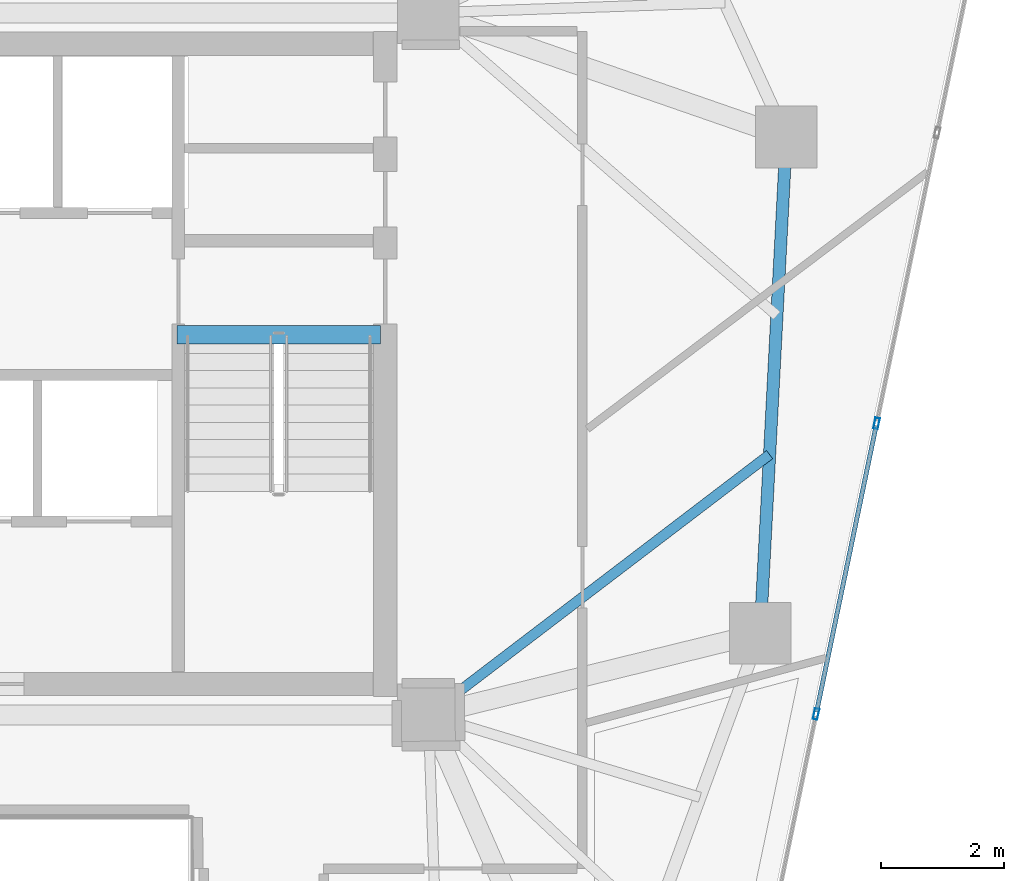
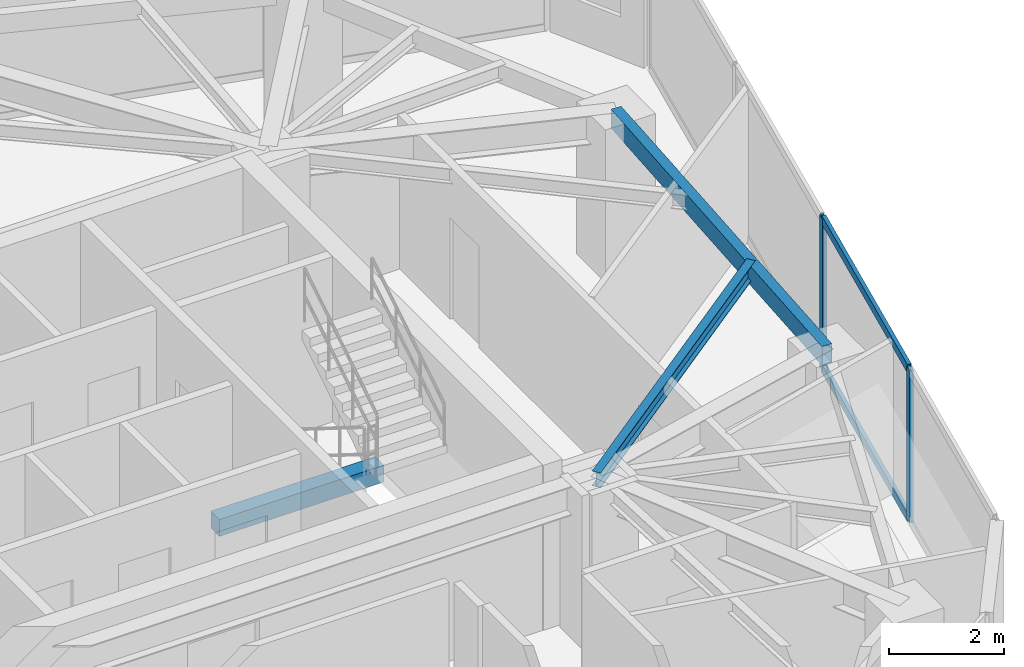
# One storey, part 9 of 20: 4 members, 3 beams, 1 element without a shape of its own.
"""IFC4 building model written with IfcOpenShell, lengths in metres."""

from ifc_helpers import new_model, si_unit, direction, frame, origin, origin_2d, place, context, subcontext, project, spatial, rectangle, hollow_rectangle, i_section, extrude, source, transform, mapped, material, layer, layer_set, material_profile, profile_set, type_object, type_shapes, element, aggregate, save


model = new_model("IFC4")

# Units and contexts
model_context = context("Model", 3, precision=1e-05, world=origin(), true_north=direction((0.0, 1.0)))
body_context = subcontext(model_context, "Body", "Model", "MODEL_VIEW")
ifc_project = project(units=[si_unit("LENGTHUNIT", "METRE"), si_unit("AREAUNIT", "SQUARE_METRE"), si_unit("VOLUMEUNIT", "CUBIC_METRE"), si_unit("PLANEANGLEUNIT", "RADIAN"), si_unit("MASSUNIT", "GRAM", prefix="KILO")], contexts=[model_context])

# Site, building, storey
site_placement = place(None, origin())
site = spatial("IfcSite", under=ifc_project, at=site_placement, CompositionType="ELEMENT")
building_placement = place(site_placement, origin())
building = spatial("IfcBuilding", under=site, at=building_placement, Name="Talar Marvaseh", CompositionType="ELEMENT")
storey_placement = place(building_placement, frame((0.0, 0.0, 191.5)))
storey = spatial("IfcBuildingStorey", under=building, at=storey_placement, Name="L50", CompositionType="ELEMENT", Elevation=191.5)

# Beams
ifc_material_1 = material(Name="Concrete C40/50", Category="concrete")
ifc_material_profile_1 = material_profile(ifc_material_1, rectangle(XDim=0.300048828125, YDim=0.360107421875, at=origin_2d()), Name="RC300x360")
ifc_profile_set_1 = profile_set([ifc_material_profile_1], Name="Concrete C40/50")
beam_type_1 = type_object("IfcBeamType", Name="Concrete Stair Landing Trimmer Beam RC300x360", PredefinedType="SPANDREL", material=ifc_profile_set_1)
beam_1_placement = place(storey_placement, frame((29.219970703125, 31.669921875, -0.179931640625), z_axis=(1.0, 0.0, 0.0), x_axis=(0.0, 1.0, 0.0)))
element("IfcBeam", 1, at=beam_1_placement, inside=storey, type_object=beam_type_1, Name="L50 ST-2 Stair Nosing Trimmer Beam", PredefinedType="SPANDREL", context=body_context, shape_type="SweptSolid", body=[
    extrude(rectangle(XDim=0.300048828125, YDim=0.360107421875, at=origin_2d()), origin(), (0.0, 0.0, 1.0), 3.300048828125),
])
ifc_material_2 = material(Name="Steel S355", Category="steel")
ifc_material_profile_2 = material_profile(ifc_material_2, hollow_rectangle(XDim=0.199951171875, YDim=0.39990234375, WallThickness=0.013916015625, at=origin_2d()), Name="RHS400x200x14")
ifc_profile_set_2 = profile_set([ifc_material_profile_2], Name="Steel S355")
beam_type_2 = type_object("IfcBeamType", Name="Zone 3 Perimeter Spandrel Beam RHS400x200x14", PredefinedType="SPANDREL", material=ifc_profile_set_2)
beam_2_placement = place(storey_placement, frame((39.113037109375, 34.884033203125, 3.030029296875), z_axis=(-0.052541369293, -0.998618748328, 0.0), x_axis=(0.998618748328, -0.052541369293, 0.0)))
element("IfcBeam", 2, at=beam_2_placement, inside=storey, type_object=beam_type_2, Name="L50 Zone 3 Perimeter Spandrel Beam RHS400x200x14", PredefinedType="SPANDREL", context=body_context, shape_type="SweptSolid", body=[
    extrude(hollow_rectangle(XDim=0.199951171875, YDim=0.39990234375, WallThickness=0.013916015625, at=origin_2d()), origin(), (0.0, 0.0, 1.0), 8.0712890625),
])
ifc_material_profile_3 = material_profile(ifc_material_2, i_section(OverallWidth=0.166015625, OverallDepth=0.31298828125, WebThickness=0.006591796875, FlangeThickness=0.01123046875, at=origin_2d()), Name="W310x45")
ifc_profile_set_3 = profile_set([ifc_material_profile_3], Name="Steel S355")
beam_type_3 = type_object("IfcBeamType", Name="Zone 3 Secondary Floor Joist W310x45", PredefinedType="JOIST", material=ifc_profile_set_3)
beam_3_placement = place(storey_placement, frame((38.841552734375, 29.7255859375, 3.073486328125), z_axis=(-0.795190393297, -0.606359825852, 0.0), x_axis=(0.606359825852, -0.795190393297, 0.0)))
element("IfcBeam", 3, at=beam_3_placement, inside=storey, type_object=beam_type_3, Name="L50 Zone 3 Secondary Floor Joist W310x45", PredefinedType="JOIST", context=body_context, shape_type="SweptSolid", body=[
    extrude(i_section(OverallWidth=0.166015625, OverallDepth=0.31298828125, WebThickness=0.006591796875, FlangeThickness=0.01123046875, at=origin_2d()), origin(), (0.0, 0.0, 1.0), 6.96875),
])

# Curtain wall, members
ifc_material_3 = material(Name="Architectural Aluminium", Category="aluminium")
ifc_layer = layer(ifc_material_3, 0.18994140625)
ifc_layer_set = layer_set([ifc_layer], Name="Architectural Aluminium")
curtain_wall_type = type_object("IfcCurtainWallType", Name="Unitised Solar Atelier Curtain Wall Z3", PredefinedType="NOTDEFINED", material=ifc_layer_set)
curtain_wall_placement = place(storey_placement, origin())
curtain_wall = element("IfcCurtainWall", 4, at=curtain_wall_placement, inside=storey, type_object=curtain_wall_type, Name="L50 Unitised Solar Atelier Curtain Wall Z3", PredefinedType="NOTDEFINED")
ifc_material_profile_4 = material_profile(ifc_material_3, hollow_rectangle(XDim=0.074951171875, YDim=0.179931640625, WallThickness=0.0048828125, at=origin_2d()), Name="RHS180x75x5")
ifc_profile_set_4 = profile_set([ifc_material_profile_4], Name="Architectural Aluminium")
member_type_1 = type_object("IfcMemberType", Name="Unitised Curtain Wall Standard Mullion RHS180x75x5", PredefinedType="MULLION", material=ifc_profile_set_4)
shared_shape_1 = source(origin(), body_context, "Body", "SweptSolid", [
    extrude(hollow_rectangle(XDim=0.074951171875, YDim=0.179931640625, WallThickness=0.0048828125, at=origin_2d()), origin(), (0.0, 0.0, 1.0), 3.22998046875),
])
type_shapes(member_type_1, [shared_shape_1])
member_1_placement = place(storey_placement, frame((40.580078125, 30.23291015625, 0.0), z_axis=(0.0, 0.0, 1.0), x_axis=(0.979013963541, -0.203793177492, 0.0)))
member_1 = element("IfcMember", 5, at=member_1_placement, type_object=member_type_1, Name="CW-Z3 mullion 3", PredefinedType="MULLION", context=body_context, shape_type="MappedRepresentation", body=[
    mapped(shared_shape_1, transform((0.0, 0.0, 0.0), x_axis=(1.0, 0.0, 0.0), y_axis=(0.0, 1.0, 0.0), z_axis=(0.0, 0.0, 1.0), scale=1.0)),
])
member_2_placement = place(storey_placement, frame((39.597412109375, 25.511962890625, 0.0), z_axis=(0.0, 0.0, 1.0), x_axis=(0.979013963541, -0.203793177492, 0.0)))
member_2 = element("IfcMember", 6, at=member_2_placement, type_object=member_type_1, Name="CW-Z3 mullion 4", PredefinedType="MULLION", context=body_context, shape_type="MappedRepresentation", body=[
    mapped(shared_shape_1, transform((0.0, 0.0, 0.0), x_axis=(1.0, 0.0, 0.0), y_axis=(0.0, 1.0, 0.0), z_axis=(0.0, 0.0, 1.0), scale=1.0)),
])
ifc_material_profile_5 = material_profile(ifc_material_3, hollow_rectangle(XDim=0.074951171875, YDim=0.179931640625, WallThickness=0.0048828125, at=origin_2d()), Name="RHS180x75x5")
ifc_profile_set_5 = profile_set([ifc_material_profile_5], Name="Architectural Aluminium")
member_type_2 = type_object("IfcMemberType", Name="Unitised Curtain Wall Transom RHS180x75x5", PredefinedType="USERDEFINED", material=ifc_profile_set_5)
shared_shape_2 = source(origin(), body_context, "Body", "SweptSolid", [
    extrude(hollow_rectangle(XDim=0.074951171875, YDim=0.179931640625, WallThickness=0.0048828125, at=origin_2d()), origin(), (0.0, 0.0, 1.0), 4.7470703125),
])
type_shapes(member_type_2, [shared_shape_2])
member_3_placement = place(storey_placement, frame((40.572509765625, 30.196044921875, 0.03759765625), z_axis=(-0.203814596906, -0.979009504595, 0.0), x_axis=(0.979009504595, -0.203814596906, 0.0)))
member_3 = element("IfcMember", 7, at=member_3_placement, type_object=member_type_2, Name="CW-Z3 transom 3.1", ObjectType="TRANSOM", PredefinedType="USERDEFINED", context=body_context, shape_type="MappedRepresentation", body=[
    mapped(shared_shape_2, transform((0.0, 0.0, 0.0), x_axis=(1.0, 0.0, 0.0), y_axis=(0.0, 1.0, 0.0), z_axis=(0.0, 0.0, 1.0), scale=1.0)),
])
member_4_placement = place(storey_placement, frame((40.572509765625, 30.196044921875, 3.1923828125), z_axis=(-0.203814596906, -0.979009504595, 0.0), x_axis=(0.979009504595, -0.203814596906, 0.0)))
member_4 = element("IfcMember", 8, at=member_4_placement, type_object=member_type_2, Name="CW-Z3 transom 3.2", ObjectType="TRANSOM", PredefinedType="USERDEFINED", context=body_context, shape_type="MappedRepresentation", body=[
    mapped(shared_shape_2, transform((0.0, 0.0, 0.0), x_axis=(1.0, 0.0, 0.0), y_axis=(0.0, 1.0, 0.0), z_axis=(0.0, 0.0, 1.0), scale=1.0)),
])
aggregate(curtain_wall, [member_1, member_2, member_3, member_4])

save(model, "model.ifc")
